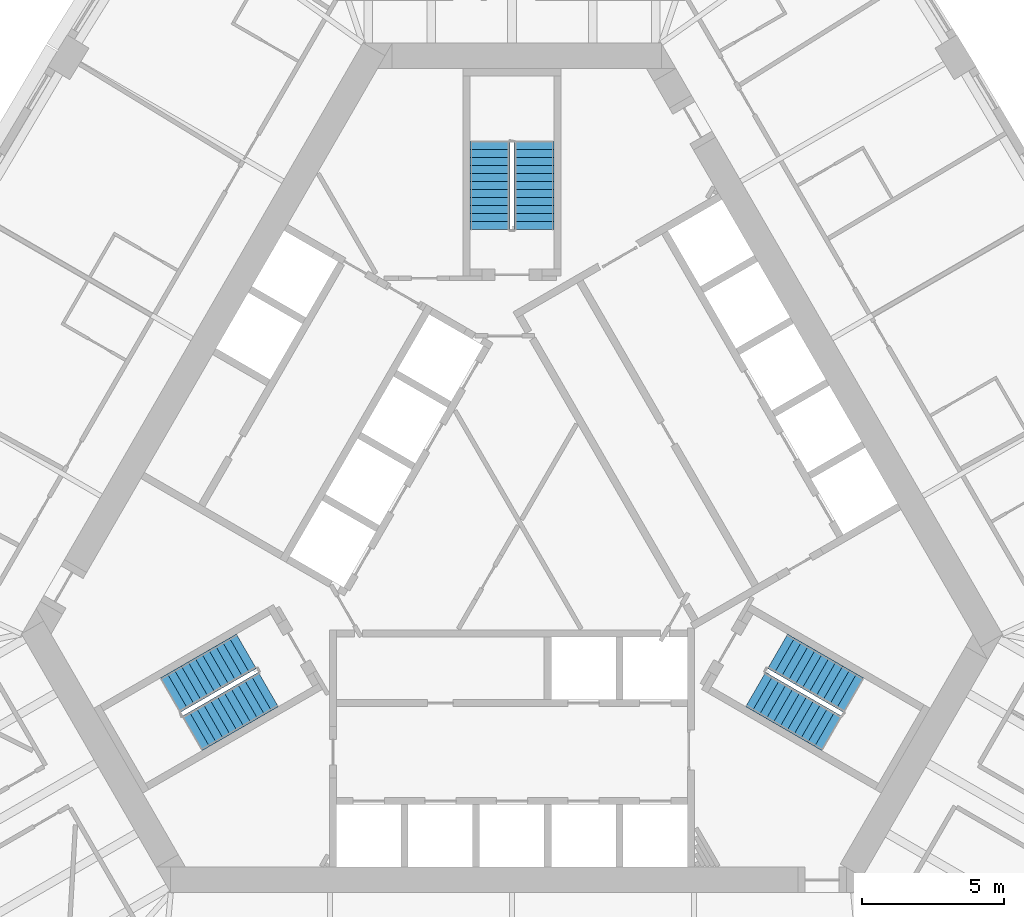
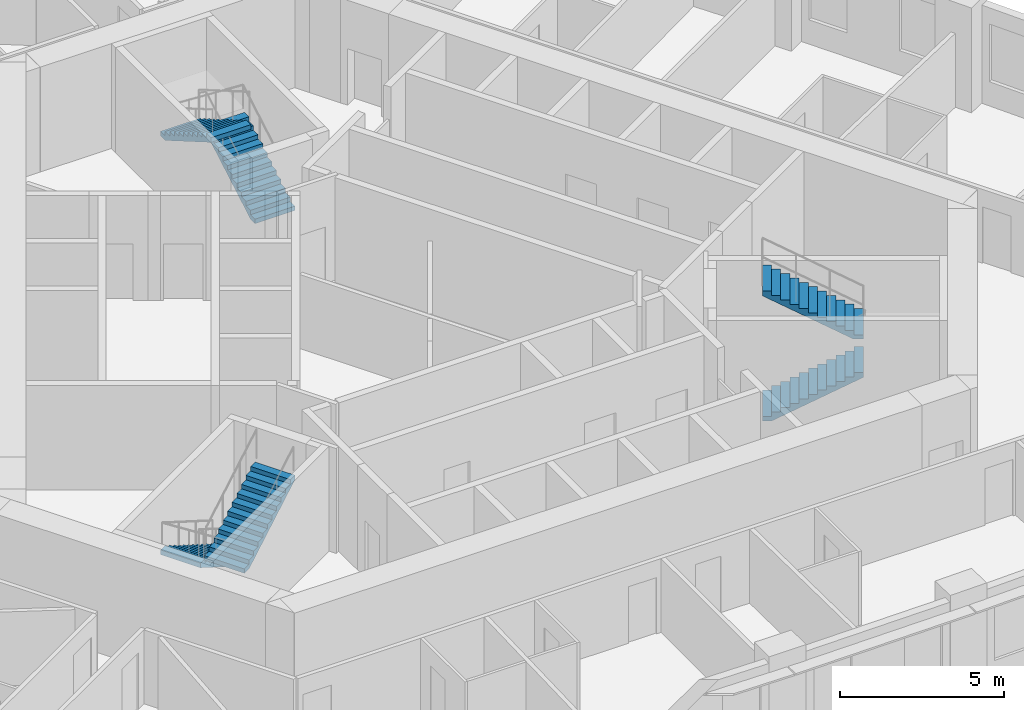
# One storey, part 12 of 13: 6 stair flights, 3 elements without a shape of their own.
"""IFC4 building model written with IfcOpenShell, lengths in metres."""

import ifcopenshell
import ifcopenshell.guid

model = None  # the IFC model being written
_history = None  # IfcOwnerHistory: only IFC2X3 demands one
_inside = {}  # id of a spatial element -> (the spatial element, [elements in it])
_under = {}  # id of a project, library or spatial element -> (it, [spatial elements below it])
_declared = {}  # id of a project -> (the project, [libraries it declares])
_typed = {}  # id of a type object -> (the type object, [elements of that type])
_made_of = {}  # id of a material, layer set ... -> (it, [elements and type objects made of it])


def new_model(schema):
    """Start an empty IFC model of exactly this schema.

    Asked for "IFC4X3", IfcOpenShell would pick the latest addendum, in which some entities
    have other attributes; the version numbers below select the first issue.
    IFC2X3 requires an IfcOwnerHistory on every rooted entity: one is made here for all.
    """
    global model, _history
    if schema == "IFC4X3":
        model = ifcopenshell.file(schema_version=(4, 3, 0, 0))
    else:
        model = ifcopenshell.file(schema=schema)
    _inside.clear()
    _under.clear()
    _declared.clear()
    _typed.clear()
    _made_of.clear()
    _history = None
    if model.schema == "IFC2X3":
        org = make("IfcOrganization", Name="unknown")
        user = make(
            "IfcPersonAndOrganization",
            ThePerson=make("IfcPerson", FamilyName="unknown"),
            TheOrganization=org,
        )
        app = make(
            "IfcApplication",
            ApplicationDeveloper=org,
            Version="unknown",
            ApplicationFullName="unknown",
            ApplicationIdentifier="unknown",
        )
        _history = make(
            "IfcOwnerHistory",
            OwningUser=user,
            OwningApplication=app,
            ChangeAction="ADDED",
            CreationDate=0,
        )
    return model


def make(cls, **values):
    """One entity of the class cls with the attributes given. An attribute that is None is left unset."""
    return model.create_entity(
        cls, **{name: value for name, value in values.items() if value is not None}
    )


def rooted(cls, **values):
    """An entity with a GlobalId (a new one), such as an element, a storey or a relation."""
    return make(cls, GlobalId=ifcopenshell.guid.new(), OwnerHistory=_history, **values)


def si_unit(unit_type, name, prefix=None):
    """IfcSIUnit, for example si_unit("LENGTHUNIT", "METRE", prefix="MILLI")."""
    return make("IfcSIUnit", UnitType=unit_type, Prefix=prefix, Name=name)


def assignment(units):
    """IfcUnitAssignment: the units of a project."""
    return None if units is None else make("IfcUnitAssignment", Units=units)


def point(xyz):
    """IfcCartesianPoint."""
    return None if xyz is None else make("IfcCartesianPoint", Coordinates=xyz)


def direction(xyz):
    """IfcDirection."""
    return None if xyz is None else make("IfcDirection", DirectionRatios=xyz)


def frame(location, z_axis=None, x_axis=None):
    """IfcAxis2Placement3D, a coordinate frame: its origin and axes. An axis left out is left unset."""
    return make(
        "IfcAxis2Placement3D",
        Location=point(location),
        Axis=direction(z_axis),
        RefDirection=direction(x_axis),
    )


def origin():
    """The frame at (0, 0, 0) with its axes left unset."""
    return frame((0.0, 0.0, 0.0))


def place(relative_to, where):
    """IfcLocalPlacement: puts the frame where relative to a parent placement (None: the world)."""
    return make(
        "IfcLocalPlacement", PlacementRelTo=relative_to, RelativePlacement=where
    )


def context(
    kind, dimensions, precision=None, world=None, true_north=None, identifier=None
):
    """IfcGeometricRepresentationContext, for example the 3D "Model" context."""
    return make(
        "IfcGeometricRepresentationContext",
        ContextIdentifier=identifier,
        ContextType=kind,
        CoordinateSpaceDimension=dimensions,
        Precision=precision,
        WorldCoordinateSystem=world,
        TrueNorth=true_north,
    )


def subcontext(parent, identifier, kind, view, scale=None):
    """IfcGeometricRepresentationSubContext, for example "Body" below "Model"."""
    return make(
        "IfcGeometricRepresentationSubContext",
        ContextIdentifier=identifier,
        ContextType=kind,
        ParentContext=parent,
        TargetScale=scale,
        TargetView=view,
    )


def project(units=None, contexts=None):
    """IfcProject with its units and contexts."""
    return rooted(
        "IfcProject",
        Name="project",
        RepresentationContexts=contexts,
        UnitsInContext=assignment(units),
    )


def spatial(cls, under=None, at=None, **own):
    """A site, building, storey or space (cls), placed at a placement, below another one or the project."""
    s = rooted(cls, ObjectPlacement=at, **own)
    if under is not None:
        _under.setdefault(under.id(), (under, []))[1].append(s)
    return s


def polyline(points):
    """IfcPolyline through the points."""
    return make("IfcPolyline", Points=[point(p) for p in points])


def outline(outer, holes=None, kind="AREA"):
    """IfcArbitraryClosedProfileDef: a profile drawn as a closed curve; with holes, ...WithVoids."""
    if holes is None:
        return make("IfcArbitraryClosedProfileDef", ProfileType=kind, OuterCurve=outer)
    return make(
        "IfcArbitraryProfileDefWithVoids",
        ProfileType=kind,
        OuterCurve=outer,
        InnerCurves=holes,
    )


def extrude(swept, where, along, depth):
    """IfcExtrudedAreaSolid: the profile swept, set in the frame where, extruded along a direction by depth."""
    return make(
        "IfcExtrudedAreaSolid",
        SweptArea=swept,
        Position=where,
        ExtrudedDirection=direction(along),
        Depth=depth,
    )


def shape(context_of_items, identifier, shape_type, items):
    """IfcShapeRepresentation: the items that make up one representation, for example the "Body"."""
    return make(
        "IfcShapeRepresentation",
        ContextOfItems=context_of_items,
        RepresentationIdentifier=identifier,
        RepresentationType=shape_type,
        Items=items,
    )


def material(Name=None, Category=None):
    """IfcMaterial."""
    return make("IfcMaterial", Name=Name, Category=Category)


def made_of(thing, what):
    """Note that an element or type object is made of a material, layer set ...; save() writes the relation."""
    if what is not None:
        _made_of.setdefault(what.id(), (what, []))[1].append(thing)
    return thing


def type_object(cls, material=None, **own):
    """A type object (cls), such as IfcWallType, which elements share."""
    return made_of(rooted(cls, **own), material)


def element(
    cls,
    number,
    at=None,
    inside=None,
    cuts=None,
    type_object=None,
    material=None,
    context=None,
    identifier="Body",
    shape_type=None,
    held_by="IfcProductDefinitionShape",
    body=None,
    shapes=None,
    **own,
):
    """One element of the class cls, such as IfcWall. Its Tag is "e" and its number.

    at: its placement. inside: the storey or other place that contains it. cuts: it is an
    opening in that element (IfcRelVoidsElement). A single representation is given by context,
    identifier, shape_type and body (its items); several are given by shapes. held_by: the class
    of the entity that holds the representations. save() writes the other relations.
    """
    e = rooted(cls, Tag="e%d" % number, ObjectPlacement=at, **own)
    if body is not None:
        shapes = [shape(context, identifier, shape_type, body)]
    if shapes is not None:
        e.Representation = make(held_by, Representations=shapes)
    if inside is not None:
        _inside.setdefault(inside.id(), (inside, []))[1].append(e)
    if cuts is not None:
        rooted(
            "IfcRelVoidsElement", RelatingBuildingElement=cuts, RelatedOpeningElement=e
        )
    if type_object is not None:
        _typed.setdefault(type_object.id(), (type_object, []))[1].append(e)
    return made_of(e, material)


def aggregate(whole, parts):
    """IfcRelAggregates: a whole, such as a stair, and the parts it consists of."""
    return rooted("IfcRelAggregates", RelatingObject=whole, RelatedObjects=parts)


def save(model, path):
    """Write the relations noted so far, then the file.

    IfcRelAggregates (storeys below a building ...), IfcRelContainedInSpatialStructure (elements
    in a storey), IfcRelDefinesByType, IfcRelAssociatesMaterial and IfcRelDeclares: one each for
    every whole, place, type object, material and project.
    """
    for whole, parts in _under.values():
        aggregate(whole, parts)
    for where, things in _inside.values():
        rooted(
            "IfcRelContainedInSpatialStructure",
            RelatedElements=things,
            RelatingStructure=where,
        )
    for kind, things in _typed.values():
        rooted("IfcRelDefinesByType", RelatedObjects=things, RelatingType=kind)
    for what, things in _made_of.values():
        rooted("IfcRelAssociatesMaterial", RelatedObjects=things, RelatingMaterial=what)
    for by, libraries in _declared.values():
        rooted("IfcRelDeclares", RelatingContext=by, RelatedDefinitions=libraries)
    model.write(path)


model = new_model("IFC4")

# Units and contexts
model_context = context("Model", 3, precision=1e-05, world=origin(), true_north=direction((0.0, 1.0)))
body_context = subcontext(model_context, "Body", "Model", "MODEL_VIEW")
ifc_project = project(units=[si_unit("LENGTHUNIT", "METRE"), si_unit("AREAUNIT", "SQUARE_METRE"), si_unit("VOLUMEUNIT", "CUBIC_METRE"), si_unit("PLANEANGLEUNIT", "RADIAN"), si_unit("MASSUNIT", "GRAM", prefix="KILO")], contexts=[model_context])

# Site, building, storey
site_placement = place(None, origin())
site = spatial("IfcSite", under=ifc_project, at=site_placement, CompositionType="ELEMENT")
building_placement = place(site_placement, origin())
building = spatial("IfcBuilding", under=site, at=building_placement, Name="Mestral Congress Tower", CompositionType="ELEMENT")
storey_placement = place(building_placement, frame((0.0, 0.0, 114.89990234375)))
storey = spatial("IfcBuildingStorey", under=building, at=storey_placement, Name="L27", CompositionType="ELEMENT", Elevation=114.89990234375)

# Stair, stair flights
ifc_material = material(Name="Concrete C60/75", Category="concrete")
stair_type = type_object("IfcStairType", Name="Exit stair 1400", PredefinedType="HALF_TURN_STAIR", material=ifc_material)
placement = place(storey_placement, origin())
stair_1 = element("IfcStair", 1, at=placement, inside=storey, type_object=stair_type, Name="L27 ST1", PredefinedType="HALF_TURN_STAIR")
stair_flight_type = type_object("IfcStairFlightType", Name="Exit stair flight 1400", PredefinedType="STRAIGHT", material=ifc_material)
stair_flight_1_placement = place(storey_placement, frame((8.575927734375, -5.84619140625, 0.0), z_axis=(0.0, 0.0, 1.0), x_axis=(0.866025403784, -0.5, 0.0)))
stair_flight_1 = element("IfcStairFlight", 2, at=stair_flight_1_placement, type_object=stair_flight_type, Name="ST1 flight 1", NumberOfRisers=12, NumberOfTreads=11, PredefinedType="STRAIGHT", RiserHeight=0.1625, TreadLength=0.28, context=body_context, shape_type="SweptSolid", body=[
    extrude(outline(polyline([(0.0, 0.0), (0.0, 0.16259765625), (0.280029296875, 0.16259765625), (0.280029296875, 0.324951171875), (0.56005859375, 0.324951171875), (0.56005859375, 0.487548828125), (0.840087890625, 0.487548828125), (0.840087890625, 0.64990234375), (1.1201171875, 0.64990234375), (1.1201171875, 0.8125), (1.39990234375, 0.8125), (1.39990234375, 0.97509765625), (1.679931640625, 0.97509765625), (1.679931640625, 1.137451171875), (1.9599609375, 1.137451171875), (1.9599609375, 1.300048828125), (2.239990234375, 1.300048828125), (2.239990234375, 1.46240234375), (2.52001953125, 1.46240234375), (2.52001953125, 1.625), (2.800048828125, 1.625), (2.800048828125, 1.78759765625), (3.080078125, 1.78759765625), (3.080078125, 1.949951171875), (3.080078125, 1.6142578125), (0.298583984375, 0.0), (0.0, 0.0)])), frame((0.0, 0.699951171875, 0.0), z_axis=(0.0, -1.0, 0.0), x_axis=(1.0, 0.0, 0.0)), (0.0, 0.0, 1.0), 1.39990234375),
])
stair_flight_2_placement = place(storey_placement, frame((12.018310546875, -6.0439453125, 1.9501953125), z_axis=(0.0, 0.0, 1.0), x_axis=(-0.866025403784, 0.5, 0.0)))
stair_flight_2 = element("IfcStairFlight", 3, at=stair_flight_2_placement, type_object=stair_flight_type, Name="ST1 flight 2", NumberOfRisers=12, NumberOfTreads=11, PredefinedType="STRAIGHT", RiserHeight=0.1625, TreadLength=0.28, context=body_context, shape_type="SweptSolid", body=[
    extrude(outline(polyline([(0.0, 0.0), (0.0, 0.16259765625), (0.280029296875, 0.16259765625), (0.280029296875, 0.324951171875), (0.56005859375, 0.324951171875), (0.56005859375, 0.487548828125), (0.840087890625, 0.487548828125), (0.840087890625, 0.64990234375), (1.1201171875, 0.64990234375), (1.1201171875, 0.8125), (1.39990234375, 0.8125), (1.39990234375, 0.97509765625), (1.679931640625, 0.97509765625), (1.679931640625, 1.137451171875), (1.9599609375, 1.137451171875), (1.9599609375, 1.300048828125), (2.239990234375, 1.300048828125), (2.239990234375, 1.46240234375), (2.52001953125, 1.46240234375), (2.52001953125, 1.625), (2.800048828125, 1.625), (2.800048828125, 1.78759765625), (3.080078125, 1.78759765625), (3.080078125, 1.949951171875), (3.080078125, 1.6142578125), (0.298583984375, 0.0), (0.0, 0.0)])), frame((0.0, 0.699951171875, 0.0), z_axis=(0.0, -1.0, 0.0), x_axis=(1.0, 0.0, 0.0)), (0.0, 0.0, 1.0), 1.39990234375),
])
aggregate(stair_1, [stair_flight_1, stair_flight_2])

stair_2 = element("IfcStair", 4, at=placement, inside=storey, type_object=stair_type, Name="L27 ST2", PredefinedType="HALF_TURN_STAIR")
stair_flight_3_placement = place(storey_placement, frame((0.77490234375, 10.35009765625, 0.0), z_axis=(0.0, 0.0, 1.0), x_axis=(0.0, 1.0, 0.0)))
stair_flight_3 = element("IfcStairFlight", 5, at=stair_flight_3_placement, type_object=stair_flight_type, Name="ST2 flight 1", NumberOfRisers=12, NumberOfTreads=11, PredefinedType="STRAIGHT", RiserHeight=0.1625, TreadLength=0.28, context=body_context, shape_type="SweptSolid", body=[
    extrude(outline(polyline([(0.0, 0.0), (0.0, 0.16259765625), (0.280029296875, 0.16259765625), (0.280029296875, 0.324951171875), (0.56005859375, 0.324951171875), (0.56005859375, 0.487548828125), (0.840087890625, 0.487548828125), (0.840087890625, 0.64990234375), (1.1201171875, 0.64990234375), (1.1201171875, 0.8125), (1.39990234375, 0.8125), (1.39990234375, 0.97509765625), (1.679931640625, 0.97509765625), (1.679931640625, 1.137451171875), (1.9599609375, 1.137451171875), (1.9599609375, 1.300048828125), (2.239990234375, 1.300048828125), (2.239990234375, 1.46240234375), (2.52001953125, 1.46240234375), (2.52001953125, 1.625), (2.800048828125, 1.625), (2.800048828125, 1.78759765625), (3.080078125, 1.78759765625), (3.080078125, 1.949951171875), (3.080078125, 1.6142578125), (0.298583984375, 0.0), (0.0, 0.0)])), frame((0.0, 0.699951171875, 0.0), z_axis=(0.0, -1.0, 0.0), x_axis=(1.0, 0.0, 0.0)), (0.0, 0.0, 1.0), 1.39990234375),
])
stair_flight_4_placement = place(storey_placement, frame((-0.77490234375, 13.429931640625, 1.9501953125), z_axis=(0.0, 0.0, 1.0), x_axis=(0.0, -1.0, 0.0)))
stair_flight_4 = element("IfcStairFlight", 6, at=stair_flight_4_placement, type_object=stair_flight_type, Name="ST2 flight 2", NumberOfRisers=12, NumberOfTreads=11, PredefinedType="STRAIGHT", RiserHeight=0.1625, TreadLength=0.28, context=body_context, shape_type="SweptSolid", body=[
    extrude(outline(polyline([(0.0, 0.0), (0.0, 0.16259765625), (0.280029296875, 0.16259765625), (0.280029296875, 0.324951171875), (0.56005859375, 0.324951171875), (0.56005859375, 0.487548828125), (0.840087890625, 0.487548828125), (0.840087890625, 0.64990234375), (1.1201171875, 0.64990234375), (1.1201171875, 0.8125), (1.39990234375, 0.8125), (1.39990234375, 0.97509765625), (1.679931640625, 0.97509765625), (1.679931640625, 1.137451171875), (1.9599609375, 1.137451171875), (1.9599609375, 1.300048828125), (2.239990234375, 1.300048828125), (2.239990234375, 1.46240234375), (2.52001953125, 1.46240234375), (2.52001953125, 1.625), (2.800048828125, 1.625), (2.800048828125, 1.78759765625), (3.080078125, 1.78759765625), (3.080078125, 1.949951171875), (3.080078125, 1.6142578125), (0.298583984375, 0.0), (0.0, 0.0)])), frame((0.0, 0.699951171875, 0.0), z_axis=(0.0, -1.0, 0.0), x_axis=(1.0, 0.0, 0.0)), (0.0, 0.0, 1.0), 1.39990234375),
])
aggregate(stair_2, [stair_flight_3, stair_flight_4])

stair_3 = element("IfcStair", 7, at=placement, inside=storey, type_object=stair_type, Name="L27 ST3", PredefinedType="HALF_TURN_STAIR")
stair_flight_5_placement = place(storey_placement, frame((-9.350830078125, -4.50390625, 0.0), z_axis=(0.0, 0.0, 1.0), x_axis=(-0.866025403784, -0.5, 0.0)))
stair_flight_5 = element("IfcStairFlight", 8, at=stair_flight_5_placement, type_object=stair_flight_type, Name="ST3 flight 1", NumberOfRisers=12, NumberOfTreads=11, PredefinedType="STRAIGHT", RiserHeight=0.1625, TreadLength=0.28, context=body_context, shape_type="SweptSolid", body=[
    extrude(outline(polyline([(0.0, 0.0), (0.0, 0.16259765625), (0.280029296875, 0.16259765625), (0.280029296875, 0.324951171875), (0.56005859375, 0.324951171875), (0.56005859375, 0.487548828125), (0.840087890625, 0.487548828125), (0.840087890625, 0.64990234375), (1.1201171875, 0.64990234375), (1.1201171875, 0.8125), (1.39990234375, 0.8125), (1.39990234375, 0.97509765625), (1.679931640625, 0.97509765625), (1.679931640625, 1.137451171875), (1.9599609375, 1.137451171875), (1.9599609375, 1.300048828125), (2.239990234375, 1.300048828125), (2.239990234375, 1.46240234375), (2.52001953125, 1.46240234375), (2.52001953125, 1.625), (2.800048828125, 1.625), (2.800048828125, 1.78759765625), (3.080078125, 1.78759765625), (3.080078125, 1.949951171875), (3.080078125, 1.6142578125), (0.298583984375, 0.0), (0.0, 0.0)])), frame((0.0, 0.699951171875, 0.0), z_axis=(0.0, -1.0, 0.0), x_axis=(1.0, 0.0, 0.0)), (0.0, 0.0, 1.0), 1.39990234375),
])
stair_flight_6_placement = place(storey_placement, frame((-11.2431640625, -7.38623046875, 1.9501953125), z_axis=(0.0, 0.0, 1.0), x_axis=(0.866025403784, 0.5, 0.0)))
stair_flight_6 = element("IfcStairFlight", 9, at=stair_flight_6_placement, type_object=stair_flight_type, Name="ST3 flight 2", NumberOfRisers=12, NumberOfTreads=11, PredefinedType="STRAIGHT", RiserHeight=0.1625, TreadLength=0.28, context=body_context, shape_type="SweptSolid", body=[
    extrude(outline(polyline([(0.0, 0.0), (0.0, 0.16259765625), (0.280029296875, 0.16259765625), (0.280029296875, 0.324951171875), (0.56005859375, 0.324951171875), (0.56005859375, 0.487548828125), (0.840087890625, 0.487548828125), (0.840087890625, 0.64990234375), (1.1201171875, 0.64990234375), (1.1201171875, 0.8125), (1.39990234375, 0.8125), (1.39990234375, 0.97509765625), (1.679931640625, 0.97509765625), (1.679931640625, 1.137451171875), (1.9599609375, 1.137451171875), (1.9599609375, 1.300048828125), (2.239990234375, 1.300048828125), (2.239990234375, 1.46240234375), (2.52001953125, 1.46240234375), (2.52001953125, 1.625), (2.800048828125, 1.625), (2.800048828125, 1.78759765625), (3.080078125, 1.78759765625), (3.080078125, 1.949951171875), (3.080078125, 1.6142578125), (0.298583984375, 0.0), (0.0, 0.0)])), frame((0.0, 0.699951171875, 0.0), z_axis=(0.0, -1.0, 0.0), x_axis=(1.0, 0.0, 0.0)), (0.0, 0.0, 1.0), 1.39990234375),
])
aggregate(stair_3, [stair_flight_5, stair_flight_6])

save(model, "model.ifc")
